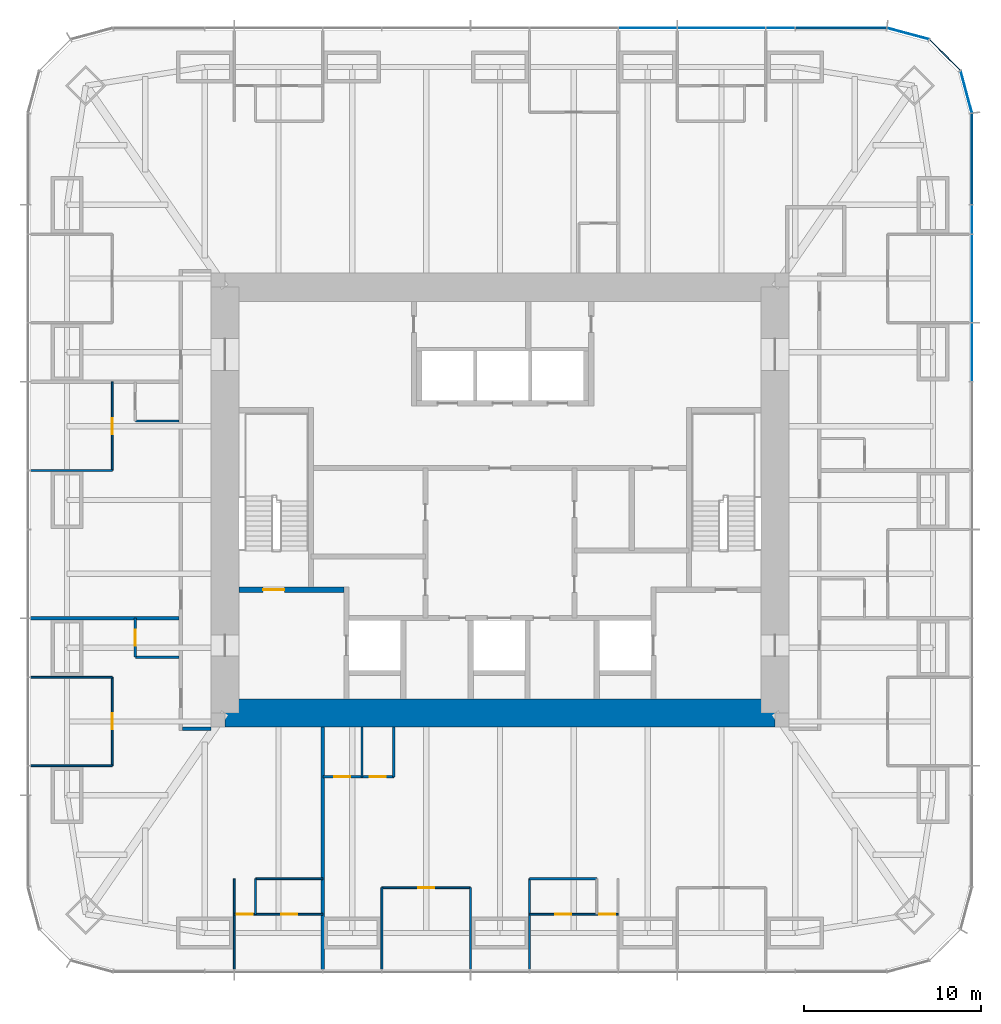
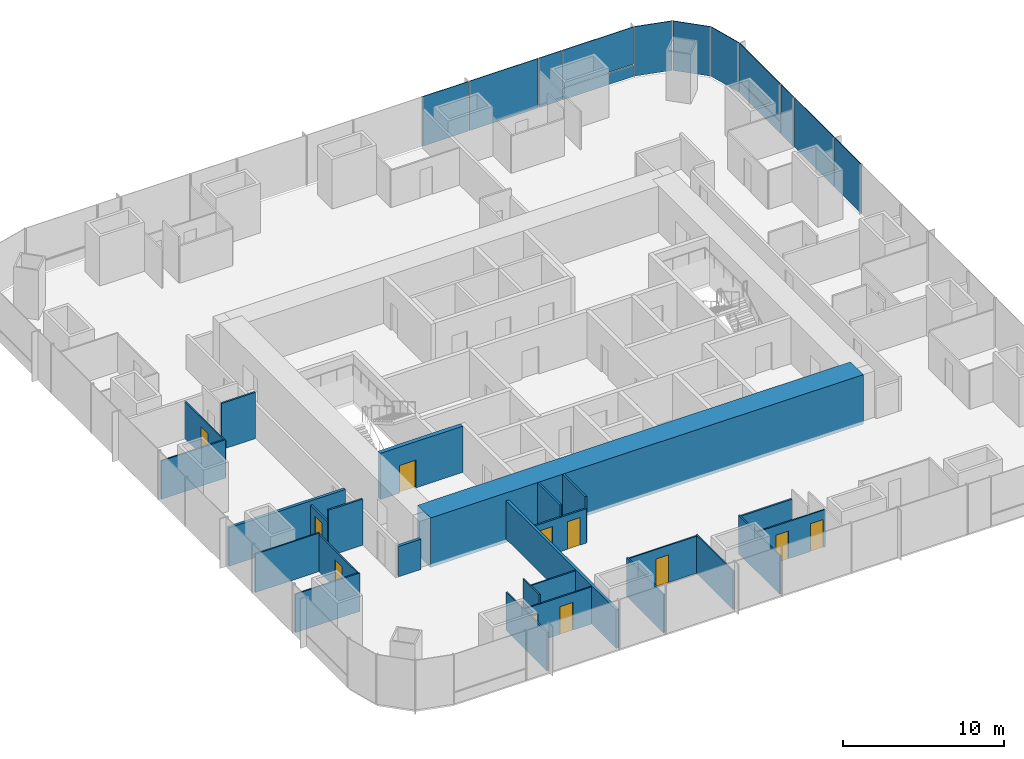
# One storey, part 8 of 12: 26 walls, 13 plates, 11 doors, 11 openings, 3 elements without a shape of their own.
"""IFC4 building model written with IfcOpenShell, lengths in metres."""

from ifc_helpers import new_model, si_unit, direction, frame, frame_2d, origin, origin_2d, place, context, subcontext, project, spatial, rectangle, extrude, material, layer, layer_set, type_object, element, fill, aggregate, save


model = new_model("IFC4")

# Units and contexts
model_context = context("Model", 3, precision=1e-05, world=origin(), true_north=direction((0.0, 1.0)))
body_context = subcontext(model_context, "Body", "Model", "MODEL_VIEW")
ifc_project = project(units=[si_unit("LENGTHUNIT", "METRE"), si_unit("AREAUNIT", "SQUARE_METRE"), si_unit("VOLUMEUNIT", "CUBIC_METRE"), si_unit("PLANEANGLEUNIT", "RADIAN"), si_unit("MASSUNIT", "GRAM", prefix="KILO")], contexts=[model_context])

# Site, building, storey
site_placement = place(None, origin())
site = spatial("IfcSite", under=ifc_project, at=site_placement, CompositionType="ELEMENT")
building_placement = place(site_placement, origin())
building = spatial("IfcBuilding", under=site, at=building_placement, Name="Khuree Lantern Residences", CompositionType="ELEMENT")
storey_placement = place(building_placement, frame((0.0, 0.0, 210.75)))
storey = spatial("IfcBuildingStorey", under=building, at=storey_placement, Name="L52", CompositionType="ELEMENT", Elevation=210.75)

# Curtain wall, plates
ifc_material_1 = material(Name="Bronze anodised aluminium", Category="aluminium")
curtain_wall_type_1 = type_object("IfcCurtainWallType", Name="CW-T2 TOWER CORNER CURTAIN WALL", PredefinedType="USERDEFINED", material=ifc_material_1)
curtain_wall_1_placement = place(storey_placement, origin())
curtain_wall_1 = element("IfcCurtainWall", 1, at=curtain_wall_1_placement, inside=storey, type_object=curtain_wall_type_1, Name="L52 NORTH-EAST CORNER CURTAIN WALL", ObjectType="Faceted corner curtain wall", PredefinedType="USERDEFINED")
ifc_material_2 = material(Name="Bronze tinted triple glazing", Category="glass")
ifc_layer_1 = layer(ifc_material_2, 0.048095703125)
ifc_layer_set_1 = layer_set([ifc_layer_1], Name="FACET PANEL P4")
plate_type_1 = type_object("IfcPlateType", Name="FACET PANEL P4", PredefinedType="CURTAIN_PANEL", material=ifc_layer_set_1)
plate_1_placement = place(storey_placement, frame((26.279052734375, 22.998046875, 0.0), z_axis=(0.0, 0.0, 1.0), x_axis=(-0.258819021888, 0.965925832509, 0.0)))
plate_1 = element("IfcPlate", 2, at=plate_1_placement, type_object=plate_type_1, Name="L52 NORTH-EAST CORNER PANEL 15.1", PredefinedType="CURTAIN_PANEL", context=body_context, shape_type="SweptSolid", body=[
    extrude(rectangle(XDim=2.40869140625, YDim=0.048095703125, at=origin_2d()), origin(), (0.0, 0.0, 1.0), 3.75),
])
plate_2_placement = place(storey_placement, frame((25.078369140625, 25.078369140625, 0.0), z_axis=(0.0, 0.0, 1.0), x_axis=(-0.707106781187, 0.707106781187, 0.0)))
plate_2 = element("IfcPlate", 3, at=plate_2_placement, type_object=plate_type_1, Name="L52 NORTH-EAST CORNER PANEL 16.1", PredefinedType="CURTAIN_PANEL", context=body_context, shape_type="SweptSolid", body=[
    extrude(rectangle(XDim=2.404541015625, YDim=0.048095703125, at=origin_2d()), origin(), (0.0, 0.0, 1.0), 3.75),
])
plate_3_placement = place(storey_placement, frame((22.998046875, 26.279052734375, 0.0), z_axis=(0.0, 0.0, 1.0), x_axis=(-0.965925832509, 0.258819021888, 0.0)))
plate_3 = element("IfcPlate", 4, at=plate_3_placement, type_object=plate_type_1, Name="L52 NORTH-EAST CORNER PANEL 17.1", PredefinedType="CURTAIN_PANEL", context=body_context, shape_type="SweptSolid", body=[
    extrude(rectangle(XDim=2.40869140625, YDim=0.048095703125, at=origin_2d()), origin(), (0.0, 0.0, 1.0), 3.75),
])
aggregate(curtain_wall_1, [plate_1, plate_2, plate_3])

# Curtain wall, plate
curtain_wall_type_2 = type_object("IfcCurtainWallType", Name="CW-T1 TOWER FACE CURTAIN WALL", PredefinedType="USERDEFINED", material=ifc_material_1)
curtain_wall_2_placement = place(storey_placement, origin())
curtain_wall_2 = element("IfcCurtainWall", 5, at=curtain_wall_2_placement, inside=storey, type_object=curtain_wall_type_2, Name="L52 EAST FACE CURTAIN WALL", ObjectType="Stick-built curtain wall", PredefinedType="USERDEFINED")
ifc_material_3 = material(Name="Bronze tinted triple glazing with a ceramic-fritted spandrel band", Category="glass")
ifc_layer_2 = layer(ifc_material_3, 0.048095703125)
ifc_layer_set_2 = layer_set([ifc_layer_2], Name="FIXED LIGHT PANEL P11")
plate_type_2 = type_object("IfcPlateType", Name="FIXED LIGHT PANEL P11", PredefinedType="CURTAIN_PANEL", material=ifc_layer_set_2)
plate_4_placement = place(storey_placement, frame((26.60009765625, 12.47998046875, 0.0), z_axis=(0.0, 0.0, 1.0), x_axis=(0.0, 1.0, 0.0)))
plate_4 = element("IfcPlate", 6, at=plate_4_placement, type_object=plate_type_2, Name="L52 EAST FACE PANEL 12.1", PredefinedType="CURTAIN_PANEL", context=body_context, shape_type="SweptSolid", body=[
    extrude(rectangle(XDim=4.927001953125, YDim=0.048095703125, at=origin_2d()), origin(), (0.0, 0.0, 1.0), 3.75),
])

curtain_wall_3_placement = place(storey_placement, origin())
curtain_wall_3 = element("IfcCurtainWall", 7, at=curtain_wall_3_placement, inside=storey, type_object=curtain_wall_type_2, Name="L52 NORTH FACE CURTAIN WALL", ObjectType="Stick-built curtain wall", PredefinedType="USERDEFINED")
plate_5_placement = place(storey_placement, frame((12.47998046875, 26.60009765625, 0.0), z_axis=(0.0, 0.0, 1.0), x_axis=(-1.0, 0.0, 0.0)))
plate_5 = element("IfcPlate", 8, at=plate_5_placement, type_object=plate_type_2, Name="L52 NORTH FACE PANEL 20.1", PredefinedType="CURTAIN_PANEL", context=body_context, shape_type="SweptSolid", body=[
    extrude(rectangle(XDim=4.927001953125, YDim=0.048095703125, at=origin_2d()), origin(), (0.0, 0.0, 1.0), 3.75),
])

# Plate
ifc_material_4 = material(Name="Bronze tinted triple glazing, two aluminium-framed sashes in one frame", Category="aluminium")
ifc_layer_3 = layer(ifc_material_4, 0.048095703125)
ifc_layer_set_3 = layer_set([ifc_layer_3], Name="SASH PAIR PANEL P12")
plate_type_3 = type_object("IfcPlateType", Name="SASH PAIR PANEL P12", PredefinedType="CURTAIN_PANEL", material=ifc_layer_set_3)
plate_6_placement = place(storey_placement, frame((26.60009765625, 8.320068359375, 0.0), z_axis=(0.0, 0.0, 1.0), x_axis=(0.0, 1.0, 0.0)))
plate_6 = element("IfcPlate", 9, at=plate_6_placement, type_object=plate_type_3, Name="L52 EAST FACE PANEL 11.1", PredefinedType="CURTAIN_PANEL", context=body_context, shape_type="SweptSolid", body=[
    extrude(rectangle(XDim=3.262939453125, YDim=0.048095703125, at=origin_2d()), origin(), (0.0, 0.0, 1.0), 3.75),
])

plate_7_placement = place(storey_placement, frame((8.320068359375, 26.60009765625, 0.0), z_axis=(0.0, 0.0, 1.0), x_axis=(-1.0, 0.0, 0.0)))
plate_7 = element("IfcPlate", 10, at=plate_7_placement, type_object=plate_type_3, Name="L52 NORTH FACE PANEL 21.1", PredefinedType="CURTAIN_PANEL", context=body_context, shape_type="SweptSolid", body=[
    extrude(rectangle(XDim=3.262939453125, YDim=0.048095703125, at=origin_2d()), origin(), (0.0, 0.0, 1.0), 3.75),
])

ifc_material_5 = material(Name="Bronze tinted triple glazing, aluminium-framed sash", Category="aluminium")
ifc_layer_4 = layer(ifc_material_5, 0.048095703125)
ifc_layer_set_4 = layer_set([ifc_layer_4], Name="SASH PANEL P3")
plate_type_4 = type_object("IfcPlateType", Name="SASH PANEL P3", PredefinedType="CURTAIN_PANEL", material=ifc_layer_set_4)
plate_8_placement = place(storey_placement, frame((26.60009765625, 15.80810546875, 0.0), z_axis=(0.0, 0.0, 1.0), x_axis=(0.0, 1.0, 0.0)))
plate_8 = element("IfcPlate", 11, at=plate_8_placement, type_object=plate_type_4, Name="L52 EAST FACE PANEL 13.1", PredefinedType="CURTAIN_PANEL", context=body_context, shape_type="SweptSolid", body=[
    extrude(rectangle(XDim=1.59912109375, YDim=0.048095703125, at=origin_2d()), origin(), (0.0, 0.0, 1.0), 3.75),
])

plate_9_placement = place(storey_placement, frame((15.80810546875, 26.60009765625, 0.0), z_axis=(0.0, 0.0, 1.0), x_axis=(-1.0, 0.0, 0.0)))
plate_9 = element("IfcPlate", 12, at=plate_9_placement, type_object=plate_type_4, Name="L52 NORTH FACE PANEL 19.1", PredefinedType="CURTAIN_PANEL", context=body_context, shape_type="SweptSolid", body=[
    extrude(rectangle(XDim=1.59912109375, YDim=0.048095703125, at=origin_2d()), origin(), (0.0, 0.0, 1.0), 3.75),
])

ifc_material_6 = material(Name="Bronze anodised aluminium insulated spandrel", Category="aluminium")
ifc_layer_5 = layer(ifc_material_6, 0.06005859375)
ifc_layer_set_5 = layer_set([ifc_layer_5], Name="SPANDREL PANEL P2")
plate_type_5 = type_object("IfcPlateType", Name="SPANDREL PANEL P2", PredefinedType="CURTAIN_PANEL", material=ifc_layer_set_5)
plate_10_placement = place(storey_placement, frame((26.60009765625, 19.2177734375, 0.0), z_axis=(0.0, 0.0, 1.0), x_axis=(0.0, 1.0, 0.0)))
plate_10 = element("IfcPlate", 13, at=plate_10_placement, type_object=plate_type_5, Name="L52 EAST FACE PANEL 14.1", PredefinedType="CURTAIN_PANEL", context=body_context, shape_type="SweptSolid", body=[
    extrude(rectangle(XDim=5.0908203125, YDim=0.06005859375, at=origin_2d()), origin(), (0.0, 0.0, 1.0), 0.867431640625),
])

plate_11_placement = place(storey_placement, frame((19.2177734375, 26.60009765625, 0.0), z_axis=(0.0, 0.0, 1.0), x_axis=(-1.0, 0.0, 0.0)))
plate_11 = element("IfcPlate", 14, at=plate_11_placement, type_object=plate_type_5, Name="L52 NORTH FACE PANEL 18.1", PredefinedType="CURTAIN_PANEL", context=body_context, shape_type="SweptSolid", body=[
    extrude(rectangle(XDim=5.0908203125, YDim=0.06005859375, at=origin_2d()), origin(), (0.0, 0.0, 1.0), 0.867431640625),
])

ifc_layer_6 = layer(ifc_material_2, 0.048095703125)
ifc_layer_set_6 = layer_set([ifc_layer_6], Name="VISION PANEL P1")
plate_type_6 = type_object("IfcPlateType", Name="VISION PANEL P1", PredefinedType="CURTAIN_PANEL", material=ifc_layer_set_6)
plate_12_placement = place(storey_placement, frame((26.60009765625, 19.21826171875, 0.9326171875), z_axis=(0.0, 0.0, 1.0), x_axis=(0.0, 1.0, 0.0)))
plate_12 = element("IfcPlate", 15, at=plate_12_placement, type_object=plate_type_6, Name="L52 EAST FACE PANEL 14.2", PredefinedType="CURTAIN_PANEL", context=body_context, shape_type="SweptSolid", body=[
    extrude(rectangle(XDim=5.091552734375, YDim=0.048095703125, at=origin_2d()), origin(), (0.0, 0.0, 1.0), 2.8173828125),
])

aggregate(curtain_wall_2, [plate_6, plate_4, plate_8, plate_10, plate_12])

plate_13_placement = place(storey_placement, frame((19.21826171875, 26.60009765625, 0.9326171875), z_axis=(0.0, 0.0, 1.0), x_axis=(-1.0, 0.0, 0.0)))
plate_13 = element("IfcPlate", 16, at=plate_13_placement, type_object=plate_type_6, Name="L52 NORTH FACE PANEL 18.2", PredefinedType="CURTAIN_PANEL", context=body_context, shape_type="SweptSolid", body=[
    extrude(rectangle(XDim=5.091552734375, YDim=0.048095703125, at=origin_2d()), origin(), (0.0, 0.0, 1.0), 2.8173828125),
])

aggregate(curtain_wall_3, [plate_11, plate_13, plate_9, plate_5, plate_7])

# Wall
ifc_material_7 = material(Name="Moisture-resistant gypsum board on steel studs", Category="steel")
ifc_layer_7 = layer(ifc_material_7, 0.125)
ifc_layer_set_7 = layer_set([ifc_layer_7], Name="BATHROOM WALL BTW125")
wall_type_1 = type_object("IfcWallType", Name="BATHROOM WALL BTW125", PredefinedType="PARTITIONING", material=ifc_layer_set_7)
wall_1_placement = place(storey_placement, frame((-18.10009765625, 4.4560546875, 0.0), z_axis=(0.0, 0.0, 1.0), x_axis=(-1.0, 0.0, 0.0)))
element("IfcWall", 17, at=wall_1_placement, inside=storey, type_object=wall_type_1, Name="L52 BATHROOM WALL 04", PredefinedType="PARTITIONING", context=body_context, shape_type="SweptSolid", body=[
    extrude(rectangle(XDim=2.449951171875, YDim=0.125, at=frame_2d((1.22509765625, 0.0))), origin(), (0.0, 0.0, 1.0), 3.5),
])

# Wall, opening, door
wall_2_placement = place(storey_placement, frame((-20.550048828125, -6.656005859375, 0.0), z_axis=(0.0, 0.0, 1.0), x_axis=(0.0, -1.0, 0.0)))
wall_2 = element("IfcWall", 18, at=wall_2_placement, inside=storey, type_object=wall_type_1, Name="L52 BATHROOM WALL 05", PredefinedType="PARTITIONING", context=body_context, shape_type="SweptSolid", body=[
    extrude(rectangle(XDim=2.199951171875, YDim=0.125, at=frame_2d((1.10009765625, 0.0))), origin(), (0.0, 0.0, 1.0), 2.60009765625),
])
opening_1_placement = place(wall_2_placement, frame((0.64990234375, 0.0, 0.0)))
opening_1 = element("IfcOpeningElement", 19, at=opening_1_placement, cuts=wall_2, Name="Opening 52-043", PredefinedType="OPENING", context=body_context, shape_type="SweptSolid", body=[
    extrude(rectangle(XDim=0.89990234375, YDim=2.10009765625, at=frame_2d((0.449951171875, 1.050048828125))), frame((0.0, 0.072509765625, 0.0), z_axis=(0.0, -1.0, 0.0), x_axis=(1.0, 0.0, 0.0)), (0.0, 0.0, 1.0), 0.14501953125),
])
ifc_material_8 = material(Name="Timber door leaf in hardwood frame", Category="wood")
door_type_1 = type_object("IfcDoorType", Name="BATHROOM DOOR 900X2100", OperationType="SINGLE_SWING_LEFT", PredefinedType="DOOR", material=ifc_material_8)
door_1_placement = place(opening_1_placement, origin())
door_1 = element("IfcDoor", 20, at=door_1_placement, inside=storey, type_object=door_type_1, Name="Bathroom door 52-043", OperationType="SINGLE_SWING_LEFT", OverallHeight=2.10009765625, OverallWidth=0.89990234375, PredefinedType="DOOR", context=body_context, shape_type="SweptSolid", body=[
    extrude(rectangle(XDim=0.89990234375, YDim=2.10009765625, at=frame_2d((0.449951171875, 1.050048828125))), frame((0.0, 0.02490234375, 0.0), z_axis=(0.0, -1.0, 0.0), x_axis=(1.0, 0.0, 0.0)), (0.0, 0.0, 1.0), 0.050048828125),
])
fill(opening_1, door_1)

# Walls
wall_3_placement = place(storey_placement, frame((-18.10009765625, -8.85595703125, 0.0), z_axis=(0.0, 0.0, 1.0), x_axis=(-1.0, 0.0, 0.0)))
element("IfcWall", 21, at=wall_3_placement, inside=storey, type_object=wall_type_1, Name="L52 BATHROOM WALL 05", PredefinedType="PARTITIONING", context=body_context, shape_type="SweptSolid", body=[
    extrude(rectangle(XDim=2.449951171875, YDim=0.125, at=frame_2d((1.22509765625, 0.0))), origin(), (0.0, 0.0, 1.0), 3.5),
])
wall_4_placement = place(storey_placement, frame((1.6640625, -21.344970703125, 0.0), z_axis=(0.0, 0.0, 1.0), x_axis=(1.0, 0.0, 0.0)))
element("IfcWall", 22, at=wall_4_placement, inside=storey, type_object=wall_type_1, Name="L52 BATHROOM WALL 06", PredefinedType="PARTITIONING", context=body_context, shape_type="SweptSolid", body=[
    extrude(rectangle(XDim=3.7919921875, YDim=0.125, at=frame_2d((1.89599609375, 0.0))), origin(), (0.0, 0.0, 1.0), 2.81005859375),
])

# Wall, openings, doors
wall_5_placement = place(storey_placement, frame((-9.98388671875, -15.60009765625, 0.0), z_axis=(0.0, 0.0, 1.0), x_axis=(1.0, 0.0, 0.0)))
wall_5 = element("IfcWall", 23, at=wall_5_placement, inside=storey, type_object=wall_type_1, Name="L52 BATHROOM WALL 06", PredefinedType="PARTITIONING", context=body_context, shape_type="SweptSolid", body=[
    extrude(rectangle(XDim=4.0, YDim=0.125, at=frame_2d((2.0, 0.0))), origin(), (0.0, 0.0, 1.0), 2.60009765625),
])
opening_2_placement = place(wall_5_placement, frame((0.64990234375, 0.0, 0.0)))
opening_2 = element("IfcOpeningElement", 24, at=opening_2_placement, cuts=wall_5, Name="Opening 52-050", PredefinedType="OPENING", context=body_context, shape_type="SweptSolid", body=[
    extrude(rectangle(XDim=0.89990234375, YDim=2.10009765625, at=frame_2d((0.449951171875, 1.050048828125))), frame((0.0, 0.072509765625, 0.0), z_axis=(0.0, -1.0, 0.0), x_axis=(1.0, 0.0, 0.0)), (0.0, 0.0, 1.0), 0.14501953125),
])
opening_3_placement = place(wall_5_placement, frame((2.64990234375, 0.0, 0.0)))
opening_3 = element("IfcOpeningElement", 25, at=opening_3_placement, cuts=wall_5, Name="Opening 52-051", PredefinedType="OPENING", context=body_context, shape_type="SweptSolid", body=[
    extrude(rectangle(XDim=0.89990234375, YDim=2.10009765625, at=frame_2d((0.449951171875, 1.050048828125))), frame((0.0, 0.072509765625, 0.0), z_axis=(0.0, -1.0, 0.0), x_axis=(1.0, 0.0, 0.0)), (0.0, 0.0, 1.0), 0.14501953125),
])
door_2_placement = place(opening_2_placement, origin())
door_2 = element("IfcDoor", 26, at=door_2_placement, inside=storey, type_object=door_type_1, Name="Bathroom door 52-050", OperationType="SINGLE_SWING_LEFT", OverallHeight=2.10009765625, OverallWidth=0.89990234375, PredefinedType="DOOR", context=body_context, shape_type="SweptSolid", body=[
    extrude(rectangle(XDim=0.89990234375, YDim=2.10009765625, at=frame_2d((0.449951171875, 1.050048828125))), frame((0.0, 0.02490234375, 0.0), z_axis=(0.0, -1.0, 0.0), x_axis=(1.0, 0.0, 0.0)), (0.0, 0.0, 1.0), 0.050048828125),
])
fill(opening_2, door_2)
door_type_2 = type_object("IfcDoorType", Name="DOOR 900X2100", OperationType="SINGLE_SWING_LEFT", PredefinedType="DOOR", material=ifc_material_8)
door_3_placement = place(opening_3_placement, origin())
door_3 = element("IfcDoor", 27, at=door_3_placement, inside=storey, type_object=door_type_2, Name="Store door 52-051", OperationType="SINGLE_SWING_LEFT", OverallHeight=2.10009765625, OverallWidth=0.89990234375, PredefinedType="DOOR", context=body_context, shape_type="SweptSolid", body=[
    extrude(rectangle(XDim=0.89990234375, YDim=2.10009765625, at=frame_2d((0.449951171875, 1.050048828125))), frame((0.0, 0.02490234375, 0.0), z_axis=(0.0, -1.0, 0.0), x_axis=(1.0, 0.0, 0.0)), (0.0, 0.0, 1.0), 0.050048828125),
])
fill(opening_3, door_3)

# Walls
for number, where, z_axis, x_axis, name in (
    (28, (-7.783935546875, -12.800048828125, 0.0), (0.0, 0.0, 1.0), (0.0, -1.0, 0.0), "L52 BATHROOM WALL 06"),
    (29, (-5.98388671875, -12.800048828125, 0.0), (0.0, 0.0, 1.0), (0.0, -1.0, 0.0), "L52 BATHROOM WALL 06"),
):
    element("IfcWall", number, at=place(storey_placement, frame(where, z_axis=z_axis, x_axis=x_axis)), inside=storey, type_object=wall_type_1, Name=name, PredefinedType="PARTITIONING", context=body_context, shape_type="SweptSolid", body=[
        extrude(rectangle(XDim=2.800048828125, YDim=0.125, at=frame_2d((1.39990234375, 0.0))), origin(), (0.0, 0.0, 1.0), 3.5),
    ])
ifc_material_9 = material(Name="Gypsum board on steel studs", Category="steel")
ifc_layer_8 = layer(ifc_material_9, 0.199951171875)
ifc_layer_set_8 = layer_set([ifc_layer_8], Name="CORRIDOR WALL CRW200 EI 60")
wall_type_2 = type_object("IfcWallType", Name="CORRIDOR WALL CRW200 EI 60", PredefinedType="PARTITIONING", material=ifc_layer_set_8)
wall_6_placement = place(storey_placement, frame((-16.300048828125, -12.89990234375, 0.0), z_axis=(0.0, 0.0, 1.0), x_axis=(-1.0, 0.0, 0.0)))
element("IfcWall", 30, at=wall_6_placement, inside=storey, type_object=wall_type_2, Name="L52 WEST CORRIDOR SOUTH END WALL", PredefinedType="PARTITIONING", context=body_context, shape_type="SweptSolid", body=[
    extrude(rectangle(XDim=1.599853515625, YDim=0.199951171875, at=frame_2d((0.7998046875, 0.0))), origin(), (0.0, 0.0, 1.0), 2.300048828125),
])
ifc_material_10 = material(Name="Concrete C50/60", Category="concrete")
ifc_layer_9 = layer(ifc_material_10, 1.60009765625)
ifc_layer_set_9 = layer_set([ifc_layer_9], Name="CW1600-C50 CORE WALL C50 1600")
wall_type_3 = type_object("IfcWallType", Name="CW1600-C50 CORE WALL C50 1600", PredefinedType="SHEAR", material=ifc_layer_set_9)
wall_7_placement = place(storey_placement, frame((-15.5, -12.0, -0.25), z_axis=(0.0, 0.0, 1.0), x_axis=(1.0, 0.0, 0.0)))
element("IfcWall", 31, at=wall_7_placement, inside=storey, type_object=wall_type_3, Name="Core wall S", PredefinedType="SHEAR", context=body_context, shape_type="SweptSolid", body=[
    extrude(rectangle(XDim=31.0, YDim=1.60009765625, at=frame_2d((15.5, 0.0))), origin(), (0.0, 0.0, 1.0), 3.75),
])
ifc_layer_10 = layer(ifc_material_9, 0.199951171875)
ifc_layer_set_10 = layer_set([ifc_layer_10], Name="DEMISING WALL DMW200 EI 90")
wall_type_4 = type_object("IfcWallType", Name="DEMISING WALL DMW200 EI 90", PredefinedType="PARTITIONING", material=ifc_layer_set_10)
wall_8_placement = place(storey_placement, frame((-18.10009765625, -6.656005859375, 0.0), z_axis=(0.0, 0.0, 1.0), x_axis=(-1.0, 0.0, 0.0)))
element("IfcWall", 32, at=wall_8_placement, inside=storey, type_object=wall_type_4, Name="L52 DEMISING WALL 05", PredefinedType="PARTITIONING", context=body_context, shape_type="SweptSolid", body=[
    extrude(rectangle(XDim=8.349853515625, YDim=0.199951171875, at=frame_2d((4.1748046875, 0.0))), origin(), (0.0, 0.0, 1.0), 2.909912109375),
])
wall_9_placement = place(storey_placement, frame((-9.98388671875, -12.800048828125, 0.0), z_axis=(0.0, 0.0, 1.0), x_axis=(0.0, -1.0, 0.0)))
element("IfcWall", 33, at=wall_9_placement, inside=storey, type_object=wall_type_4, Name="L52 DEMISING WALL 06", PredefinedType="PARTITIONING", context=body_context, shape_type="SweptSolid", body=[
    extrude(rectangle(XDim=13.64990234375, YDim=0.199951171875, at=frame_2d((6.824951171875, 0.0))), origin(), (0.0, 0.0, 1.0), 2.909912109375),
])
ifc_layer_11 = layer(ifc_material_9, 0.10009765625)
ifc_layer_set_11 = layer_set([ifc_layer_11], Name="PARTITION PT100")
wall_type_5 = type_object("IfcWallType", Name="PARTITION PT100", PredefinedType="PARTITIONING", material=ifc_layer_set_11)
for number, where, z_axis, x_axis, name in (
    (34, (-21.85009765625, 1.6640625, 0.0), (0.0, 0.0, 1.0), (-1.0, 0.0, 0.0), "L52 PARTITION 04"),
    (35, (-21.85009765625, -9.98388671875, 0.0), (0.0, 0.0, 1.0), (-1.0, 0.0, 0.0), "L52 PARTITION 05"),
    (36, (-21.85009765625, -14.97607421875, 0.0), (0.0, 0.0, 1.0), (-1.0, 0.0, 0.0), "L52 PARTITION 05"),
):
    element("IfcWall", number, at=place(storey_placement, frame(where, z_axis=z_axis, x_axis=x_axis)), inside=storey, type_object=wall_type_5, Name=name, PredefinedType="PARTITIONING", context=body_context, shape_type="SweptSolid", body=[
        extrude(rectangle(XDim=4.599853515625, YDim=0.10009765625, at=frame_2d((2.2998046875, 0.0))), origin(), (0.0, 0.0, 1.0), 2.909912109375),
    ])
wall_10_placement = place(storey_placement, frame((-14.97607421875, -21.344970703125, 0.0), z_axis=(0.0, 0.0, 1.0), x_axis=(0.0, -1.0, 0.0)))
element("IfcWall", 37, at=wall_10_placement, inside=storey, type_object=wall_type_5, Name="L52 PARTITION 05", PredefinedType="PARTITIONING", context=body_context, shape_type="SweptSolid", body=[
    extrude(rectangle(XDim=5.10498046875, YDim=0.10009765625, at=frame_2d((2.552490234375, 0.0))), origin(), (0.0, 0.0, 1.0), 2.909912109375),
])
for number, where, z_axis, x_axis, name in (
    (38, (-6.656005859375, -21.85009765625, 0.0), (0.0, 0.0, 1.0), (0.0, -1.0, 0.0), "L52 PARTITION 06"),
    (39, (-1.6640625, -21.85009765625, 0.0), (0.0, 0.0, 1.0), (0.0, -1.0, 0.0), "L52 PARTITION 06"),
):
    element("IfcWall", number, at=place(storey_placement, frame(where, z_axis=z_axis, x_axis=x_axis)), inside=storey, type_object=wall_type_5, Name=name, PredefinedType="PARTITIONING", context=body_context, shape_type="SweptSolid", body=[
        extrude(rectangle(XDim=4.599853515625, YDim=0.10009765625, at=frame_2d((2.2998046875, 0.0))), origin(), (0.0, 0.0, 1.0), 2.909912109375),
    ])
wall_11_placement = place(storey_placement, frame((1.6640625, -21.344970703125, 0.0), z_axis=(0.0, 0.0, 1.0), x_axis=(0.0, -1.0, 0.0)))
element("IfcWall", 40, at=wall_11_placement, inside=storey, type_object=wall_type_5, Name="L52 PARTITION 06", PredefinedType="PARTITIONING", context=body_context, shape_type="SweptSolid", body=[
    extrude(rectangle(XDim=5.10498046875, YDim=0.10009765625, at=frame_2d((2.552490234375, 0.0))), origin(), (0.0, 0.0, 1.0), 2.909912109375),
])

# Wall, opening, door
wall_12_placement = place(storey_placement, frame((-21.85009765625, 6.656005859375, 0.0), z_axis=(0.0, 0.0, 1.0), x_axis=(0.0, -1.0, 0.0)))
wall_12 = element("IfcWall", 41, at=wall_12_placement, inside=storey, type_object=wall_type_5, Name="L52 PARTITION 04", PredefinedType="PARTITIONING", context=body_context, shape_type="SweptSolid", body=[
    extrude(rectangle(XDim=4.991943359375, YDim=0.10009765625, at=frame_2d((2.49609375, 0.0))), origin(), (0.0, 0.0, 1.0), 2.81005859375),
])
opening_4_placement = place(wall_12_placement, frame((2.0458984375, 0.0, 0.0)))
opening_4 = element("IfcOpeningElement", 42, at=opening_4_placement, cuts=wall_12, Name="Opening 52-037", PredefinedType="OPENING", context=body_context, shape_type="SweptSolid", body=[
    extrude(rectangle(XDim=0.89990234375, YDim=2.10009765625, at=frame_2d((0.449951171875, 1.050048828125))), frame((0.0, 0.06005859375, 0.0), z_axis=(0.0, -1.0, 0.0), x_axis=(1.0, 0.0, 0.0)), (0.0, 0.0, 1.0), 0.1201171875),
])
door_type_3 = type_object("IfcDoorType", Name="BEDROOM DOOR 900X2100", OperationType="SINGLE_SWING_LEFT", PredefinedType="DOOR", material=ifc_material_8)
door_4_placement = place(opening_4_placement, origin())
door_4 = element("IfcDoor", 43, at=door_4_placement, inside=storey, type_object=door_type_3, Name="Bedroom door 52-037", OperationType="SINGLE_SWING_LEFT", OverallHeight=2.10009765625, OverallWidth=0.89990234375, PredefinedType="DOOR", context=body_context, shape_type="SweptSolid", body=[
    extrude(rectangle(XDim=0.89990234375, YDim=2.10009765625, at=frame_2d((0.449951171875, 1.050048828125))), frame((0.0, 0.02490234375, 0.0), z_axis=(0.0, -1.0, 0.0), x_axis=(1.0, 0.0, 0.0)), (0.0, 0.0, 1.0), 0.050048828125),
])
fill(opening_4, door_4)

wall_13_placement = place(storey_placement, frame((-21.85009765625, -9.98388671875, 0.0), z_axis=(0.0, 0.0, 1.0), x_axis=(0.0, -1.0, 0.0)))
wall_13 = element("IfcWall", 44, at=wall_13_placement, inside=storey, type_object=wall_type_5, Name="L52 PARTITION 05", PredefinedType="PARTITIONING", context=body_context, shape_type="SweptSolid", body=[
    extrude(rectangle(XDim=4.9921875, YDim=0.10009765625, at=frame_2d((2.49609375, 0.0))), origin(), (0.0, 0.0, 1.0), 2.81005859375),
])
opening_5_placement = place(wall_13_placement, frame((2.0458984375, 0.0, 0.0)))
opening_5 = element("IfcOpeningElement", 45, at=opening_5_placement, cuts=wall_13, Name="Opening 52-040", PredefinedType="OPENING", context=body_context, shape_type="SweptSolid", body=[
    extrude(rectangle(XDim=0.89990234375, YDim=2.10009765625, at=frame_2d((0.449951171875, 1.050048828125))), frame((0.0, 0.06005859375, 0.0), z_axis=(0.0, -1.0, 0.0), x_axis=(1.0, 0.0, 0.0)), (0.0, 0.0, 1.0), 0.1201171875),
])
door_5_placement = place(opening_5_placement, origin())
door_5 = element("IfcDoor", 46, at=door_5_placement, inside=storey, type_object=door_type_3, Name="Bedroom door 52-040", OperationType="SINGLE_SWING_LEFT", OverallHeight=2.10009765625, OverallWidth=0.89990234375, PredefinedType="DOOR", context=body_context, shape_type="SweptSolid", body=[
    extrude(rectangle(XDim=0.89990234375, YDim=2.10009765625, at=frame_2d((0.449951171875, 1.050048828125))), frame((0.0, 0.02490234375, 0.0), z_axis=(0.0, -1.0, 0.0), x_axis=(1.0, 0.0, 0.0)), (0.0, 0.0, 1.0), 0.050048828125),
])
fill(opening_5, door_5)

# Wall, openings, doors
wall_14_placement = place(storey_placement, frame((-14.97607421875, -23.344970703125, 0.0), z_axis=(0.0, 0.0, 1.0), x_axis=(1.0, 0.0, 0.0)))
wall_14 = element("IfcWall", 47, at=wall_14_placement, inside=storey, type_object=wall_type_5, Name="L52 PARTITION 05", PredefinedType="PARTITIONING", context=body_context, shape_type="SweptSolid", body=[
    extrude(rectangle(XDim=4.9921875, YDim=0.10009765625, at=frame_2d((2.49609375, 0.0))), origin(), (0.0, 0.0, 1.0), 2.81005859375),
])
opening_6_placement = place(wall_14_placement, frame((0.14990234375, 0.0, 0.0)))
opening_6 = element("IfcOpeningElement", 48, at=opening_6_placement, cuts=wall_14, Name="Opening 52-041", PredefinedType="OPENING", context=body_context, shape_type="SweptSolid", body=[
    extrude(rectangle(XDim=0.89990234375, YDim=2.10009765625, at=frame_2d((0.449951171875, 1.050048828125))), frame((0.0, 0.06005859375, 0.0), z_axis=(0.0, -1.0, 0.0), x_axis=(1.0, 0.0, 0.0)), (0.0, 0.0, 1.0), 0.1201171875),
])
opening_7_placement = place(wall_14_placement, frame((2.64599609375, 0.0, 0.0)))
opening_7 = element("IfcOpeningElement", 49, at=opening_7_placement, cuts=wall_14, Name="Opening 52-042", PredefinedType="OPENING", context=body_context, shape_type="SweptSolid", body=[
    extrude(rectangle(XDim=0.89990234375, YDim=2.10009765625, at=frame_2d((0.449951171875, 1.050048828125))), frame((0.0, 0.06005859375, 0.0), z_axis=(0.0, -1.0, 0.0), x_axis=(1.0, 0.0, 0.0)), (0.0, 0.0, 1.0), 0.1201171875),
])
door_6_placement = place(opening_6_placement, origin())
door_6 = element("IfcDoor", 50, at=door_6_placement, inside=storey, type_object=door_type_3, Name="Bedroom door 52-041", OperationType="SINGLE_SWING_LEFT", OverallHeight=2.10009765625, OverallWidth=0.89990234375, PredefinedType="DOOR", context=body_context, shape_type="SweptSolid", body=[
    extrude(rectangle(XDim=0.89990234375, YDim=2.10009765625, at=frame_2d((0.449951171875, 1.050048828125))), frame((0.0, 0.02490234375, 0.0), z_axis=(0.0, -1.0, 0.0), x_axis=(1.0, 0.0, 0.0)), (0.0, 0.0, 1.0), 0.050048828125),
])
fill(opening_6, door_6)
door_7_placement = place(opening_7_placement, origin())
door_7 = element("IfcDoor", 51, at=door_7_placement, inside=storey, type_object=door_type_2, Name="Wardrobe door 52-042", OperationType="SINGLE_SWING_LEFT", OverallHeight=2.10009765625, OverallWidth=0.89990234375, PredefinedType="DOOR", context=body_context, shape_type="SweptSolid", body=[
    extrude(rectangle(XDim=0.89990234375, YDim=2.10009765625, at=frame_2d((0.449951171875, 1.050048828125))), frame((0.0, 0.02490234375, 0.0), z_axis=(0.0, -1.0, 0.0), x_axis=(1.0, 0.0, 0.0)), (0.0, 0.0, 1.0), 0.050048828125),
])
fill(opening_7, door_7)

# Walls
wall_15_placement = place(storey_placement, frame((-13.77587890625, -21.344970703125, 0.0), z_axis=(0.0, 0.0, 1.0), x_axis=(0.0, -1.0, 0.0)))
element("IfcWall", 52, at=wall_15_placement, inside=storey, type_object=wall_type_5, Name="L52 PARTITION 05", PredefinedType="PARTITIONING", context=body_context, shape_type="SweptSolid", body=[
    extrude(rectangle(XDim=2.0, YDim=0.10009765625, at=frame_2d((1.0, 0.0))), origin(), (0.0, 0.0, 1.0), 3.5),
])
wall_16_placement = place(storey_placement, frame((-13.77587890625, -21.344970703125, 0.0), z_axis=(0.0, 0.0, 1.0), x_axis=(1.0, 0.0, 0.0)))
element("IfcWall", 53, at=wall_16_placement, inside=storey, type_object=wall_type_5, Name="L52 PARTITION 05", PredefinedType="PARTITIONING", context=body_context, shape_type="SweptSolid", body=[
    extrude(rectangle(XDim=3.7919921875, YDim=0.10009765625, at=frame_2d((1.89599609375, 0.0))), origin(), (0.0, 0.0, 1.0), 2.81005859375),
])

# Wall, opening, door
wall_17_placement = place(storey_placement, frame((-6.656005859375, -21.85009765625, 0.0), z_axis=(0.0, 0.0, 1.0), x_axis=(1.0, 0.0, 0.0)))
wall_17 = element("IfcWall", 54, at=wall_17_placement, inside=storey, type_object=wall_type_5, Name="L52 PARTITION 06", PredefinedType="PARTITIONING", context=body_context, shape_type="SweptSolid", body=[
    extrude(rectangle(XDim=4.991943359375, YDim=0.10009765625, at=frame_2d((2.49609375, 0.0))), origin(), (0.0, 0.0, 1.0), 2.81005859375),
])
opening_8_placement = place(wall_17_placement, frame((2.0458984375, 0.0, 0.0)))
opening_8 = element("IfcOpeningElement", 55, at=opening_8_placement, cuts=wall_17, Name="Opening 52-045", PredefinedType="OPENING", context=body_context, shape_type="SweptSolid", body=[
    extrude(rectangle(XDim=0.89990234375, YDim=2.10009765625, at=frame_2d((0.449951171875, 1.050048828125))), frame((0.0, 0.06005859375, 0.0), z_axis=(0.0, -1.0, 0.0), x_axis=(1.0, 0.0, 0.0)), (0.0, 0.0, 1.0), 0.1201171875),
])
door_8_placement = place(opening_8_placement, origin())
door_8 = element("IfcDoor", 56, at=door_8_placement, inside=storey, type_object=door_type_3, Name="Bedroom door 52-045", OperationType="SINGLE_SWING_LEFT", OverallHeight=2.10009765625, OverallWidth=0.89990234375, PredefinedType="DOOR", context=body_context, shape_type="SweptSolid", body=[
    extrude(rectangle(XDim=0.89990234375, YDim=2.10009765625, at=frame_2d((0.449951171875, 1.050048828125))), frame((0.0, 0.02490234375, 0.0), z_axis=(0.0, -1.0, 0.0), x_axis=(1.0, 0.0, 0.0)), (0.0, 0.0, 1.0), 0.050048828125),
])
fill(opening_8, door_8)

# Wall, openings, doors
wall_18_placement = place(storey_placement, frame((1.6640625, -23.344970703125, 0.0), z_axis=(0.0, 0.0, 1.0), x_axis=(1.0, 0.0, 0.0)))
wall_18 = element("IfcWall", 57, at=wall_18_placement, inside=storey, type_object=wall_type_5, Name="L52 PARTITION 06", PredefinedType="PARTITIONING", context=body_context, shape_type="SweptSolid", body=[
    extrude(rectangle(XDim=4.991943359375, YDim=0.10009765625, at=frame_2d((2.49609375, 0.0))), origin(), (0.0, 0.0, 1.0), 2.81005859375),
])
opening_9_placement = place(wall_18_placement, frame((3.94189453125, 0.0, 0.0)))
opening_9 = element("IfcOpeningElement", 58, at=opening_9_placement, cuts=wall_18, Name="Opening 52-046", PredefinedType="OPENING", context=body_context, shape_type="SweptSolid", body=[
    extrude(rectangle(XDim=0.89990234375, YDim=2.10009765625, at=frame_2d((0.449951171875, 1.050048828125))), frame((0.0, 0.06005859375, 0.0), z_axis=(0.0, -1.0, 0.0), x_axis=(1.0, 0.0, 0.0)), (0.0, 0.0, 1.0), 0.1201171875),
])
opening_10_placement = place(wall_18_placement, frame((1.446044921875, 0.0, 0.0)))
opening_10 = element("IfcOpeningElement", 59, at=opening_10_placement, cuts=wall_18, Name="Opening 52-047", PredefinedType="OPENING", context=body_context, shape_type="SweptSolid", body=[
    extrude(rectangle(XDim=0.89990234375, YDim=2.10009765625, at=frame_2d((0.449951171875, 1.050048828125))), frame((0.0, 0.06005859375, 0.0), z_axis=(0.0, -1.0, 0.0), x_axis=(1.0, 0.0, 0.0)), (0.0, 0.0, 1.0), 0.1201171875),
])
door_9_placement = place(opening_10_placement, origin())
door_9 = element("IfcDoor", 60, at=door_9_placement, inside=storey, type_object=door_type_1, Name="Bathroom door 52-047", OperationType="SINGLE_SWING_LEFT", OverallHeight=2.10009765625, OverallWidth=0.89990234375, PredefinedType="DOOR", context=body_context, shape_type="SweptSolid", body=[
    extrude(rectangle(XDim=0.89990234375, YDim=2.10009765625, at=frame_2d((0.449951171875, 1.050048828125))), frame((0.0, 0.02490234375, 0.0), z_axis=(0.0, -1.0, 0.0), x_axis=(1.0, 0.0, 0.0)), (0.0, 0.0, 1.0), 0.050048828125),
])
fill(opening_10, door_9)
door_10_placement = place(opening_9_placement, origin())
door_10 = element("IfcDoor", 61, at=door_10_placement, inside=storey, type_object=door_type_3, Name="Bedroom door 52-046", OperationType="SINGLE_SWING_LEFT", OverallHeight=2.10009765625, OverallWidth=0.89990234375, PredefinedType="DOOR", context=body_context, shape_type="SweptSolid", body=[
    extrude(rectangle(XDim=0.89990234375, YDim=2.10009765625, at=frame_2d((0.449951171875, 1.050048828125))), frame((0.0, 0.02490234375, 0.0), z_axis=(0.0, -1.0, 0.0), x_axis=(1.0, 0.0, 0.0)), (0.0, 0.0, 1.0), 0.050048828125),
])
fill(opening_9, door_10)

# Wall, opening, door
ifc_layer_12 = layer(ifc_material_10, 0.300048828125)
ifc_layer_set_12 = layer_set([ifc_layer_12], Name="STAIR WALL SRW300 C50/60 REI 240")
wall_type_6 = type_object("IfcWallType", Name="STAIR WALL SRW300 C50/60 REI 240", PredefinedType="SOLIDWALL", material=ifc_layer_set_12)
wall_19_placement = place(storey_placement, frame((-14.699951171875, -5.050048828125, 0.0), z_axis=(0.0, 0.0, 1.0), x_axis=(1.0, 0.0, 0.0)))
wall_19 = element("IfcWall", 62, at=wall_19_placement, inside=storey, type_object=wall_type_6, Name="L52 STAIR WALL ST1S", PredefinedType="SOLIDWALL", context=body_context, shape_type="SweptSolid", body=[
    extrude(rectangle(XDim=5.89990234375, YDim=0.300048828125, at=frame_2d((2.949951171875, 0.0))), origin(), (0.0, 0.0, 1.0), 3.5),
])
opening_11_placement = place(wall_19_placement, frame((1.35009765625, 0.0, 0.0)))
opening_11 = element("IfcOpeningElement", 63, at=opening_11_placement, cuts=wall_19, Name="Opening 52-001", PredefinedType="OPENING", context=body_context, shape_type="SweptSolid", body=[
    extrude(rectangle(XDim=1.199951171875, YDim=2.10009765625, at=frame_2d((0.60009765625, 1.050048828125))), frame((0.0, 0.16015625, 0.0), z_axis=(0.0, -1.0, 0.0), x_axis=(1.0, 0.0, 0.0)), (0.0, 0.0, 1.0), 0.320068359375),
])
ifc_material_11 = material(Name="Steel door leaf in steel frame", Category="steel")
door_type_4 = type_object("IfcDoorType", Name="STAIR DOOR 1200X2100 EI 120", OperationType="SINGLE_SWING_LEFT", PredefinedType="DOOR", material=ifc_material_11)
door_11_placement = place(opening_11_placement, origin())
door_11 = element("IfcDoor", 64, at=door_11_placement, inside=storey, type_object=door_type_4, Name="Stair ST1 door 52-001", OperationType="SINGLE_SWING_LEFT", OverallHeight=2.10009765625, OverallWidth=1.199951171875, PredefinedType="DOOR", context=body_context, shape_type="SweptSolid", body=[
    extrude(rectangle(XDim=1.199951171875, YDim=2.10009765625, at=frame_2d((0.60009765625, 1.050048828125))), frame((0.0, 0.02490234375, 0.0), z_axis=(0.0, -1.0, 0.0), x_axis=(1.0, 0.0, 0.0)), (0.0, 0.0, 1.0), 0.050048828125),
])
fill(opening_11, door_11)

save(model, "model.ifc")
